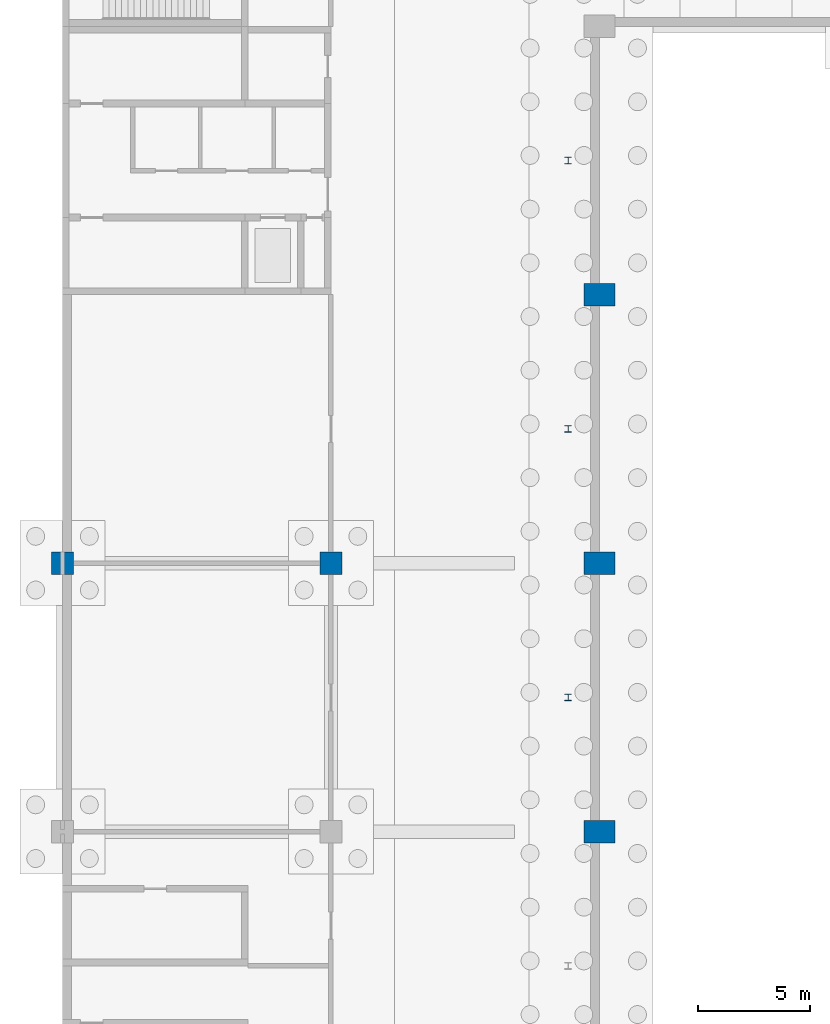
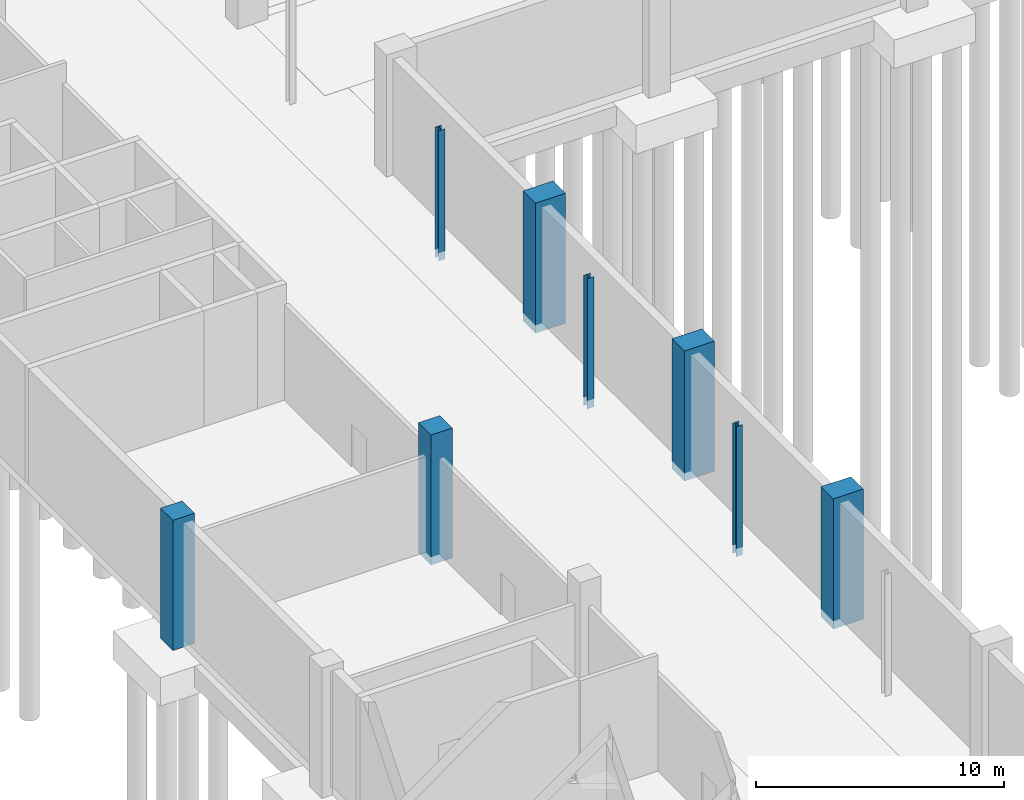
# One storey, part 6 of 34: 8 columns.
"""IFC4 building model written with IfcOpenShell, lengths in metres."""

from ifc_helpers import new_model, si_unit, direction, frame, origin, origin_2d, place, context, subcontext, project, spatial, rectangle, i_section, extrude, material, material_profile, profile_set, type_object, element, save


model = new_model("IFC4")

# Units and contexts
model_context = context("Model", 3, precision=1e-05, world=origin(), true_north=direction((0.0, 1.0)))
body_context = subcontext(model_context, "Body", "Model", "MODEL_VIEW")
ifc_project = project(units=[si_unit("LENGTHUNIT", "METRE"), si_unit("AREAUNIT", "SQUARE_METRE"), si_unit("VOLUMEUNIT", "CUBIC_METRE"), si_unit("PLANEANGLEUNIT", "RADIAN"), si_unit("MASSUNIT", "GRAM", prefix="KILO")], contexts=[model_context])

# Site, building, storey
site_placement = place(None, origin())
site = spatial("IfcSite", under=ifc_project, at=site_placement, CompositionType="ELEMENT")
building_placement = place(site_placement, origin())
building = spatial("IfcBuilding", under=site, at=building_placement, Name="Lilac Gate Convention Centre", CompositionType="ELEMENT")
storey_placement = place(building_placement, frame((0.0, 0.0, -6.0)))
storey = spatial("IfcBuildingStorey", under=building, at=storey_placement, Name="B1", CompositionType="ELEMENT", Elevation=-6.0)

# Columns
ifc_material_1 = material(Name="Concrete C40", Category="concrete")
ifc_material_profile_1 = material_profile(ifc_material_1, rectangle(XDim=1.0, YDim=1.0, at=origin_2d()), Name="RC 1000x1000")
ifc_profile_set_1 = profile_set([ifc_material_profile_1], Name="Concrete C40")
column_type_1 = type_object("IfcColumnType", Name="RC column 1000x1000 C40", PredefinedType="COLUMN", material=ifc_profile_set_1)
for number, where, z_axis, x_axis, name in (
    (1, (6.0, 78.0, -0.39990234375), (0.0, 0.0, 1.0), (1.0, 0.0, 0.0), "C1 B1 at 1/E"),
    (2, (18.0, 78.0, -0.39990234375), (0.0, 0.0, 1.0), (1.0, 0.0, 0.0), "C1 B1 at 2/E"),
):
    element("IfcColumn", number, at=place(storey_placement, frame(where, z_axis=z_axis, x_axis=x_axis)), inside=storey, type_object=column_type_1, Name=name, PredefinedType="COLUMN", context=body_context, shape_type="SweptSolid", body=[
        extrude(rectangle(XDim=1.0, YDim=1.0, at=origin_2d()), origin(), (0.0, 0.0, 1.0), 6.39990234375),
    ])
ifc_material_profile_2 = material_profile(ifc_material_1, rectangle(XDim=1.39990234375, YDim=1.0, at=origin_2d()), Name="RC 1400x1000")
ifc_profile_set_2 = profile_set([ifc_material_profile_2], Name="Concrete C40")
column_type_2 = type_object("IfcColumnType", Name="RC hall column 1400x1000 C40", PredefinedType="COLUMN", material=ifc_profile_set_2)
for number, where, z_axis, x_axis, name in (
    (3, (30.0, 66.0, -0.39990234375), (0.0, 0.0, 1.0), (1.0, 0.0, 0.0), "C2 B1 at 3/D"),
    (4, (30.0, 78.0, -0.39990234375), (0.0, 0.0, 1.0), (1.0, 0.0, 0.0), "C2 B1 at 3/E"),
    (5, (30.0, 90.0, -0.39990234375), (0.0, 0.0, 1.0), (1.0, 0.0, 0.0), "C2 B1 at 3/F"),
):
    element("IfcColumn", number, at=place(storey_placement, frame(where, z_axis=z_axis, x_axis=x_axis)), inside=storey, type_object=column_type_2, Name=name, PredefinedType="COLUMN", context=body_context, shape_type="SweptSolid", body=[
        extrude(rectangle(XDim=1.39990234375, YDim=1.0, at=origin_2d()), origin(), (0.0, 0.0, 1.0), 6.39990234375),
    ])
ifc_material_2 = material(Name="Steel Q355B", Category="steel")
ifc_material_profile_3 = material_profile(ifc_material_2, i_section(OverallWidth=0.300048828125, OverallDepth=0.300048828125, WebThickness=0.010009765625, FlangeThickness=0.014892578125, FilletRadius=0.012939453125, at=origin_2d()), Name="HW300x300x10x15")
ifc_profile_set_3 = profile_set([ifc_material_profile_3], Name="Steel Q355B")
column_type_3 = type_object("IfcColumnType", Name="Steel column HW300x300x10x15", PredefinedType="COLUMN", material=ifc_profile_set_3)
for number, where, z_axis, x_axis, name in (
    (6, (28.60009765625, 72.0, -0.39990234375), (0.0, 0.0, 1.0), (1.0, 0.0, 0.0), "SC1 B1 atrium column at 72"),
    (7, (28.60009765625, 84.0, -0.39990234375), (0.0, 0.0, 1.0), (1.0, 0.0, 0.0), "SC1 B1 atrium column at 84"),
    (8, (28.60009765625, 96.0, -0.39990234375), (0.0, 0.0, 1.0), (1.0, 0.0, 0.0), "SC1 B1 atrium column at 96"),
):
    element("IfcColumn", number, at=place(storey_placement, frame(where, z_axis=z_axis, x_axis=x_axis)), inside=storey, type_object=column_type_3, Name=name, PredefinedType="COLUMN", context=body_context, shape_type="SweptSolid", body=[
        extrude(i_section(OverallWidth=0.300048828125, OverallDepth=0.300048828125, WebThickness=0.010009765625, FlangeThickness=0.014892578125, FilletRadius=0.012939453125, at=origin_2d()), origin(), (0.0, 0.0, 1.0), 6.39990234375),
    ])

save(model, "model.ifc")
